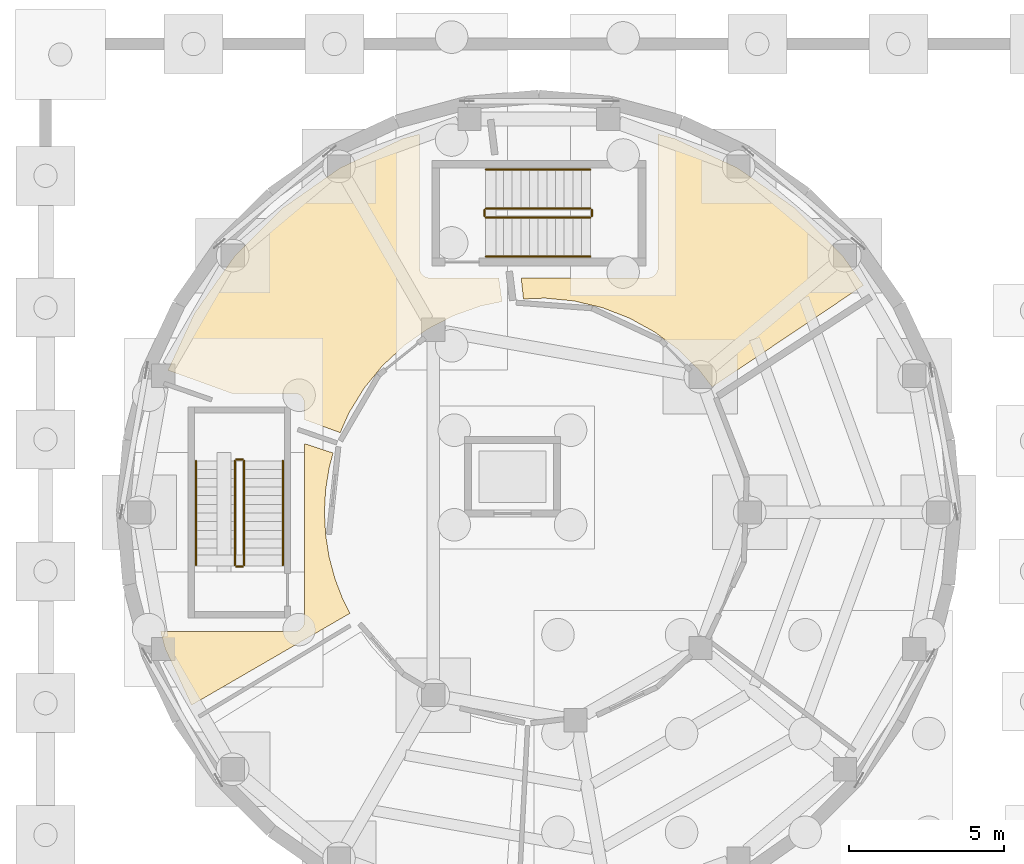
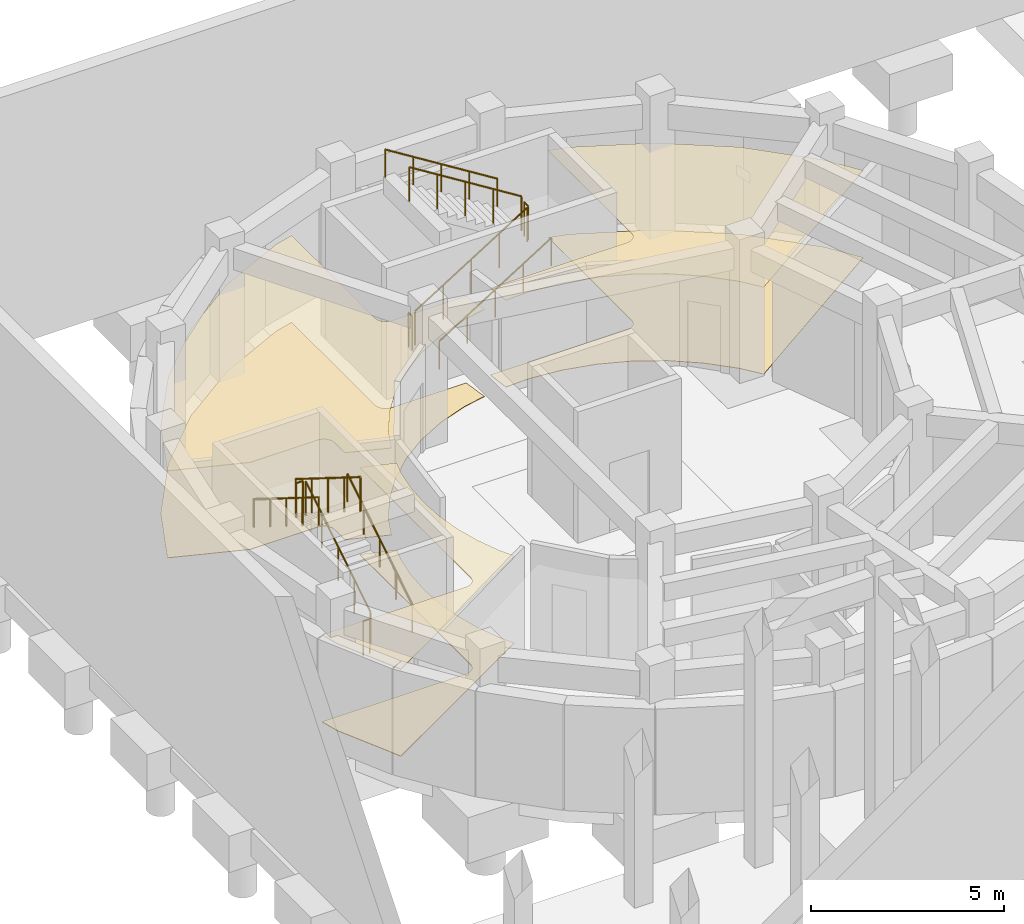
# One storey, part 54 of 57: 12 railings, 6 coverings.
"""IFC4 building model written with IfcOpenShell, lengths in metres."""

from ifc_helpers import new_model, si_unit, direction, frame, origin, origin_2d, place, context, subcontext, project, spatial, polyline, circle, outline, extrude, material, layer, layer_set, type_object, element, save


model = new_model("IFC4")

# Units and contexts
model_context = context("Model", 3, precision=1e-05, world=origin(), true_north=direction((0.0, 1.0)))
body_context = subcontext(model_context, "Body", "Model", "MODEL_VIEW")
ifc_project = project(units=[si_unit("LENGTHUNIT", "METRE"), si_unit("AREAUNIT", "SQUARE_METRE"), si_unit("VOLUMEUNIT", "CUBIC_METRE"), si_unit("PLANEANGLEUNIT", "RADIAN"), si_unit("MASSUNIT", "GRAM", prefix="KILO")], contexts=[model_context])

# Site, building, storey
site_placement = place(None, origin())
site = spatial("IfcSite", under=ifc_project, at=site_placement, CompositionType="ELEMENT")
building_placement = place(site_placement, origin())
building = spatial("IfcBuilding", under=site, at=building_placement, Name="Aldenvaro Health Centre", CompositionType="ELEMENT")
storey_placement = place(building_placement, frame((0.0, 0.0, -4.550048828125)))
storey = spatial("IfcBuildingStorey", under=building, at=storey_placement, Name="B1", CompositionType="ELEMENT", Elevation=-4.550048828125)

# Coverings
ifc_material_1 = material(Name="Antimicrobial Mineral Fibre Ceiling")
ifc_layer_1 = layer(ifc_material_1, 0.01806640625, Name="Antimicrobial Mineral Fibre Ceiling")
ifc_layer_set_1 = layer_set([ifc_layer_1], Name="Antimicrobial Mineral Fibre Ceiling")
covering_type_1 = type_object("IfcCoveringType", Name="COV-CLG-ACT18", PredefinedType="CEILING", material=ifc_layer_set_1)
covering_1_placement = place(storey_placement, frame((0.0, 0.0, 2.75)))
element("IfcCovering", 1, at=covering_1_placement, inside=storey, type_object=covering_type_1, Name="D4-B1-R01 Suspended Ceiling", PredefinedType="CEILING", context=body_context, shape_type="SweptSolid", body=[
    extrude(outline(polyline([(23.672119140625, 104.08203125), (23.64990234375, 104.10595703125), (23.00390625, 104.739013671875), (22.97998046875, 104.760986328125), (22.25390625, 105.301025390625), (22.22705078125, 105.318115234375), (21.43505859375, 105.7548828125), (21.405029296875, 105.76904296875), (20.56201171875, 106.094970703125), (20.531005859375, 106.10400390625), (19.64990234375, 106.31298828125), (19.617919921875, 106.318115234375), (18.718017578125, 106.406005859375), (18.68603515625, 106.406982421875), (18.006103515625, 106.381103515625), (17.93310546875, 107.06005859375), (22.02001953125, 107.06005859375), (22.031982421875, 107.06005859375), (22.0400390625, 107.06103515625), (22.06298828125, 107.06298828125), (22.071044921875, 107.06396484375), (22.093994140625, 107.069091796875), (22.10205078125, 107.071044921875), (22.1240234375, 107.076904296875), (22.131103515625, 107.080078125), (22.153076171875, 107.089111328125), (22.159912109375, 107.092041015625), (22.180908203125, 107.10400390625), (22.18798828125, 107.10791015625), (22.20703125, 107.12109375), (22.214111328125, 107.125), (22.23193359375, 107.139892578125), (22.238037109375, 107.14599609375), (22.25390625, 107.162109375), (22.260009765625, 107.16796875), (22.27490234375, 107.18603515625), (22.279052734375, 107.193115234375), (22.2919921875, 107.2119140625), (22.2958984375, 107.218994140625), (22.30810546875, 107.239990234375), (22.31103515625, 107.2470703125), (22.320068359375, 107.26904296875), (22.322998046875, 107.27587890625), (22.3291015625, 107.298095703125), (22.3310546875, 107.305908203125), (22.3359375, 107.3291015625), (22.3369140625, 107.3369140625), (22.339111328125, 107.360107421875), (22.340087890625, 107.367919921875), (22.340087890625, 107.3798828125), (22.340087890625, 111.69189453125), (22.884033203125, 111.5458984375), (24.908935546875, 110.60205078125), (26.739990234375, 109.320068359375), (28.320068359375, 107.739990234375), (28.964111328125, 106.820068359375), (24.087890625, 103.5439453125), (23.672119140625, 104.08203125)])), origin(), (0.0, 0.0, 1.0), 0.01806640625),
])
covering_2_placement = place(storey_placement, frame((0.0, 0.0, 2.75)))
element("IfcCovering", 2, at=covering_2_placement, inside=storey, type_object=covering_type_1, Name="D4-B1-R02 Suspended Ceiling", PredefinedType="CEILING", context=body_context, shape_type="SweptSolid", body=[
    extrude(outline(polyline([(6.5458984375, 104.08203125), (7.39794921875, 105.908935546875), (8.679931640625, 107.739990234375), (10.260009765625, 109.320068359375), (12.091064453125, 110.60205078125), (14.115966796875, 111.5458984375), (14.659912109375, 111.69189453125), (14.659912109375, 107.3798828125), (14.659912109375, 107.367919921875), (14.660888671875, 107.360107421875), (14.6630859375, 107.3369140625), (14.6640625, 107.3291015625), (14.6689453125, 107.305908203125), (14.6708984375, 107.298095703125), (14.677001953125, 107.27587890625), (14.679931640625, 107.26904296875), (14.68896484375, 107.2470703125), (14.69189453125, 107.239990234375), (14.7041015625, 107.218994140625), (14.7080078125, 107.2119140625), (14.720947265625, 107.193115234375), (14.72509765625, 107.18603515625), (14.739990234375, 107.16796875), (14.74609375, 107.162109375), (14.761962890625, 107.14599609375), (14.76806640625, 107.139892578125), (14.785888671875, 107.125), (14.79296875, 107.12109375), (14.81201171875, 107.10791015625), (14.819091796875, 107.10400390625), (14.840087890625, 107.092041015625), (14.846923828125, 107.089111328125), (14.868896484375, 107.080078125), (14.8759765625, 107.076904296875), (14.89794921875, 107.071044921875), (14.906005859375, 107.069091796875), (14.928955078125, 107.06396484375), (14.93701171875, 107.06298828125), (14.9599609375, 107.06103515625), (14.968017578125, 107.06005859375), (14.97998046875, 107.06005859375), (17.208984375, 107.06005859375), (17.31494140625, 106.2958984375), (16.64892578125, 106.156982421875), (16.617919921875, 106.14794921875), (15.764892578125, 105.844970703125), (15.735107421875, 105.83203125), (14.931884765625, 105.4169921875), (14.904052734375, 105.39990234375), (14.1640625, 104.8798828125), (14.138916015625, 104.85888671875), (13.47607421875, 104.243896484375), (13.4541015625, 104.219970703125), (12.881103515625, 103.52099609375), (12.862060546875, 103.493896484375), (12.388916015625, 102.72412109375), (12.373046875, 102.695068359375), (12.09912109375, 102.072021484375), (10.93994140625, 102.491943359375), (10.93994140625, 103.02001953125), (10.93994140625, 103.031982421875), (10.93896484375, 103.0400390625), (10.93701171875, 103.06298828125), (10.93603515625, 103.071044921875), (10.930908203125, 103.093994140625), (10.928955078125, 103.10205078125), (10.923095703125, 103.1240234375), (10.919921875, 103.131103515625), (10.910888671875, 103.153076171875), (10.907958984375, 103.159912109375), (10.89599609375, 103.180908203125), (10.89208984375, 103.18798828125), (10.87890625, 103.20703125), (10.875, 103.214111328125), (10.860107421875, 103.23193359375), (10.85400390625, 103.238037109375), (10.837890625, 103.25390625), (10.83203125, 103.260009765625), (10.81396484375, 103.27490234375), (10.806884765625, 103.279052734375), (10.7880859375, 103.2919921875), (10.781005859375, 103.2958984375), (10.760009765625, 103.30810546875), (10.7529296875, 103.31103515625), (10.73095703125, 103.320068359375), (10.72412109375, 103.322998046875), (10.701904296875, 103.3291015625), (10.694091796875, 103.3310546875), (10.6708984375, 103.3359375), (10.6630859375, 103.3369140625), (10.639892578125, 103.339111328125), (10.632080078125, 103.340087890625), (10.6201171875, 103.340087890625), (8.596923828125, 103.340087890625), (6.5458984375, 104.08203125)])), origin(), (0.0, 0.0, 1.0), 0.01806640625),
])
ifc_material_2 = material(Name="Hygienic Sealed Gypsum Ceiling")
ifc_layer_2 = layer(ifc_material_2, 0.02490234375, Name="Hygienic Sealed Gypsum Ceiling")
ifc_layer_set_2 = layer_set([ifc_layer_2], Name="Hygienic Sealed Gypsum Ceiling")
covering_type_2 = type_object("IfcCoveringType", Name="COV-CLG-GYP25", PredefinedType="CEILING", material=ifc_layer_set_2)
covering_3_placement = place(storey_placement, frame((0.0, 0.0, 2.75)))
element("IfcCovering", 3, at=covering_3_placement, inside=storey, type_object=covering_type_2, Name="D4-B1-R03 Suspended Ceiling", PredefinedType="CEILING", context=body_context, shape_type="SweptSolid", body=[
    extrude(outline(polyline([(7.305908203125, 93.2880859375), (6.4541015625, 95.115966796875), (6.30810546875, 95.659912109375), (10.6201171875, 95.659912109375), (10.632080078125, 95.659912109375), (10.639892578125, 95.660888671875), (10.6630859375, 95.6630859375), (10.6708984375, 95.6640625), (10.694091796875, 95.6689453125), (10.701904296875, 95.6708984375), (10.72412109375, 95.677001953125), (10.73095703125, 95.679931640625), (10.7529296875, 95.68896484375), (10.760009765625, 95.69189453125), (10.781005859375, 95.7041015625), (10.7880859375, 95.7080078125), (10.806884765625, 95.720947265625), (10.81396484375, 95.72509765625), (10.83203125, 95.739990234375), (10.837890625, 95.74609375), (10.85400390625, 95.761962890625), (10.860107421875, 95.76806640625), (10.875, 95.785888671875), (10.87890625, 95.79296875), (10.89208984375, 95.81201171875), (10.89599609375, 95.819091796875), (10.907958984375, 95.840087890625), (10.910888671875, 95.846923828125), (10.919921875, 95.868896484375), (10.923095703125, 95.8759765625), (10.928955078125, 95.89794921875), (10.930908203125, 95.906005859375), (10.93603515625, 95.928955078125), (10.93701171875, 95.93701171875), (10.93896484375, 95.9599609375), (10.93994140625, 95.968017578125), (10.93994140625, 95.97998046875), (10.93994140625, 101.718017578125), (11.868896484375, 101.4150390625), (11.74609375, 100.9580078125), (11.740966796875, 100.93310546875), (11.6298828125, 100.240966796875), (11.626953125, 100.216064453125), (11.590087890625, 99.51611328125), (11.590087890625, 99.489990234375), (11.626953125, 98.7900390625), (11.6298828125, 98.764892578125), (11.739013671875, 98.072998046875), (11.7451171875, 98.048095703125), (11.926025390625, 97.37109375), (11.93408203125, 97.346923828125), (12.18603515625, 96.693115234375), (12.197021484375, 96.669921875), (12.412109375, 96.248046875), (7.305908203125, 93.2880859375)])), origin(), (0.0, 0.0, 1.0), 0.025146484375),
])
ifc_material_3 = material(Name="Polished Epoxy Terrazzo Flooring")
ifc_layer_3 = layer(ifc_material_3, 0.02197265625, Name="Polished Epoxy Terrazzo Flooring")
ifc_layer_set_3 = layer_set([ifc_layer_3], Name="Polished Epoxy Terrazzo Flooring")
covering_type_3 = type_object("IfcCoveringType", Name="COV-FLR-TER22", PredefinedType="FLOORING", material=ifc_layer_set_3)
covering_4_placement = place(storey_placement, origin())
element("IfcCovering", 4, at=covering_4_placement, inside=storey, type_object=covering_type_3, Name="D4-B1-R03 Flooring", PredefinedType="FLOORING", context=body_context, shape_type="SweptSolid", body=[
    extrude(outline(polyline([(7.305908203125, 93.2880859375), (6.4541015625, 95.115966796875), (6.30810546875, 95.659912109375), (10.6201171875, 95.659912109375), (10.632080078125, 95.659912109375), (10.639892578125, 95.660888671875), (10.6630859375, 95.6630859375), (10.6708984375, 95.6640625), (10.694091796875, 95.6689453125), (10.701904296875, 95.6708984375), (10.72412109375, 95.677001953125), (10.73095703125, 95.679931640625), (10.7529296875, 95.68896484375), (10.760009765625, 95.69189453125), (10.781005859375, 95.7041015625), (10.7880859375, 95.7080078125), (10.806884765625, 95.720947265625), (10.81396484375, 95.72509765625), (10.83203125, 95.739990234375), (10.837890625, 95.74609375), (10.85400390625, 95.761962890625), (10.860107421875, 95.76806640625), (10.875, 95.785888671875), (10.87890625, 95.79296875), (10.89208984375, 95.81201171875), (10.89599609375, 95.819091796875), (10.907958984375, 95.840087890625), (10.910888671875, 95.846923828125), (10.919921875, 95.868896484375), (10.923095703125, 95.8759765625), (10.928955078125, 95.89794921875), (10.930908203125, 95.906005859375), (10.93603515625, 95.928955078125), (10.93701171875, 95.93701171875), (10.93896484375, 95.9599609375), (10.93994140625, 95.968017578125), (10.93994140625, 95.97998046875), (10.93994140625, 101.718017578125), (11.868896484375, 101.4150390625), (11.74609375, 100.9580078125), (11.740966796875, 100.93310546875), (11.6298828125, 100.240966796875), (11.626953125, 100.216064453125), (11.590087890625, 99.51611328125), (11.590087890625, 99.489990234375), (11.626953125, 98.7900390625), (11.6298828125, 98.764892578125), (11.739013671875, 98.072998046875), (11.7451171875, 98.048095703125), (11.926025390625, 97.37109375), (11.93408203125, 97.346923828125), (12.18603515625, 96.693115234375), (12.197021484375, 96.669921875), (12.412109375, 96.248046875), (7.305908203125, 93.2880859375)])), origin(), (0.0, 0.0, 1.0), 0.02197265625),
])
ifc_material_4 = material(Name="Seamless Homogeneous Sheet Vinyl")
ifc_layer_4 = layer(ifc_material_4, 0.013916015625, Name="Seamless Homogeneous Sheet Vinyl")
ifc_layer_set_4 = layer_set([ifc_layer_4], Name="Seamless Homogeneous Sheet Vinyl")
covering_type_4 = type_object("IfcCoveringType", Name="COV-FLR-VNL14", PredefinedType="FLOORING", material=ifc_layer_set_4)
covering_5_placement = place(storey_placement, origin())
element("IfcCovering", 5, at=covering_5_placement, inside=storey, type_object=covering_type_4, Name="D4-B1-R01 Flooring", PredefinedType="FLOORING", context=body_context, shape_type="SweptSolid", body=[
    extrude(outline(polyline([(23.672119140625, 104.08203125), (23.64990234375, 104.10595703125), (23.00390625, 104.739013671875), (22.97998046875, 104.760986328125), (22.25390625, 105.301025390625), (22.22705078125, 105.318115234375), (21.43505859375, 105.7548828125), (21.405029296875, 105.76904296875), (20.56201171875, 106.094970703125), (20.531005859375, 106.10400390625), (19.64990234375, 106.31298828125), (19.617919921875, 106.318115234375), (18.718017578125, 106.406005859375), (18.68603515625, 106.406982421875), (18.006103515625, 106.381103515625), (17.93310546875, 107.06005859375), (22.02001953125, 107.06005859375), (22.031982421875, 107.06005859375), (22.0400390625, 107.06103515625), (22.06298828125, 107.06298828125), (22.071044921875, 107.06396484375), (22.093994140625, 107.069091796875), (22.10205078125, 107.071044921875), (22.1240234375, 107.076904296875), (22.131103515625, 107.080078125), (22.153076171875, 107.089111328125), (22.159912109375, 107.092041015625), (22.180908203125, 107.10400390625), (22.18798828125, 107.10791015625), (22.20703125, 107.12109375), (22.214111328125, 107.125), (22.23193359375, 107.139892578125), (22.238037109375, 107.14599609375), (22.25390625, 107.162109375), (22.260009765625, 107.16796875), (22.27490234375, 107.18603515625), (22.279052734375, 107.193115234375), (22.2919921875, 107.2119140625), (22.2958984375, 107.218994140625), (22.30810546875, 107.239990234375), (22.31103515625, 107.2470703125), (22.320068359375, 107.26904296875), (22.322998046875, 107.27587890625), (22.3291015625, 107.298095703125), (22.3310546875, 107.305908203125), (22.3359375, 107.3291015625), (22.3369140625, 107.3369140625), (22.339111328125, 107.360107421875), (22.340087890625, 107.367919921875), (22.340087890625, 107.3798828125), (22.340087890625, 111.69189453125), (22.884033203125, 111.5458984375), (24.908935546875, 110.60205078125), (26.739990234375, 109.320068359375), (28.320068359375, 107.739990234375), (28.964111328125, 106.820068359375), (24.087890625, 103.5439453125), (23.672119140625, 104.08203125)])), origin(), (0.0, 0.0, 1.0), 0.01416015625),
])
covering_6_placement = place(storey_placement, origin())
element("IfcCovering", 6, at=covering_6_placement, inside=storey, type_object=covering_type_4, Name="D4-B1-R02 Flooring", PredefinedType="FLOORING", context=body_context, shape_type="SweptSolid", body=[
    extrude(outline(polyline([(6.5458984375, 104.08203125), (7.39794921875, 105.908935546875), (8.679931640625, 107.739990234375), (10.260009765625, 109.320068359375), (12.091064453125, 110.60205078125), (14.115966796875, 111.5458984375), (14.659912109375, 111.69189453125), (14.659912109375, 107.3798828125), (14.659912109375, 107.367919921875), (14.660888671875, 107.360107421875), (14.6630859375, 107.3369140625), (14.6640625, 107.3291015625), (14.6689453125, 107.305908203125), (14.6708984375, 107.298095703125), (14.677001953125, 107.27587890625), (14.679931640625, 107.26904296875), (14.68896484375, 107.2470703125), (14.69189453125, 107.239990234375), (14.7041015625, 107.218994140625), (14.7080078125, 107.2119140625), (14.720947265625, 107.193115234375), (14.72509765625, 107.18603515625), (14.739990234375, 107.16796875), (14.74609375, 107.162109375), (14.761962890625, 107.14599609375), (14.76806640625, 107.139892578125), (14.785888671875, 107.125), (14.79296875, 107.12109375), (14.81201171875, 107.10791015625), (14.819091796875, 107.10400390625), (14.840087890625, 107.092041015625), (14.846923828125, 107.089111328125), (14.868896484375, 107.080078125), (14.8759765625, 107.076904296875), (14.89794921875, 107.071044921875), (14.906005859375, 107.069091796875), (14.928955078125, 107.06396484375), (14.93701171875, 107.06298828125), (14.9599609375, 107.06103515625), (14.968017578125, 107.06005859375), (14.97998046875, 107.06005859375), (17.208984375, 107.06005859375), (17.31494140625, 106.2958984375), (16.64892578125, 106.156982421875), (16.617919921875, 106.14794921875), (15.764892578125, 105.844970703125), (15.735107421875, 105.83203125), (14.931884765625, 105.4169921875), (14.904052734375, 105.39990234375), (14.1640625, 104.8798828125), (14.138916015625, 104.85888671875), (13.47607421875, 104.243896484375), (13.4541015625, 104.219970703125), (12.881103515625, 103.52099609375), (12.862060546875, 103.493896484375), (12.388916015625, 102.72412109375), (12.373046875, 102.695068359375), (12.09912109375, 102.072021484375), (10.93994140625, 102.491943359375), (10.93994140625, 103.02001953125), (10.93994140625, 103.031982421875), (10.93896484375, 103.0400390625), (10.93701171875, 103.06298828125), (10.93603515625, 103.071044921875), (10.930908203125, 103.093994140625), (10.928955078125, 103.10205078125), (10.923095703125, 103.1240234375), (10.919921875, 103.131103515625), (10.910888671875, 103.153076171875), (10.907958984375, 103.159912109375), (10.89599609375, 103.180908203125), (10.89208984375, 103.18798828125), (10.87890625, 103.20703125), (10.875, 103.214111328125), (10.860107421875, 103.23193359375), (10.85400390625, 103.238037109375), (10.837890625, 103.25390625), (10.83203125, 103.260009765625), (10.81396484375, 103.27490234375), (10.806884765625, 103.279052734375), (10.7880859375, 103.2919921875), (10.781005859375, 103.2958984375), (10.760009765625, 103.30810546875), (10.7529296875, 103.31103515625), (10.73095703125, 103.320068359375), (10.72412109375, 103.322998046875), (10.701904296875, 103.3291015625), (10.694091796875, 103.3310546875), (10.6708984375, 103.3359375), (10.6630859375, 103.3369140625), (10.639892578125, 103.339111328125), (10.632080078125, 103.340087890625), (10.6201171875, 103.340087890625), (8.596923828125, 103.340087890625), (6.5458984375, 104.08203125)])), origin(), (0.0, 0.0, 1.0), 0.01416015625),
])

# Railings
ifc_material_5 = material(Name="Painted Architectural Steel", Category="steel")
railing_type_1 = type_object("IfcRailingType", Name="RL-BAL-INT", PredefinedType="BALUSTRADE", material=ifc_material_5)
railing_1_placement = place(storey_placement, frame((16.800048828125, 109.0, 0.175048828125)))
element("IfcRailing", 7, at=railing_1_placement, inside=storey, type_object=railing_type_1, Name="B1 ST-07 stair guard 1", PredefinedType="BALUSTRADE", context=body_context, shape_type="SweptSolid", body=[
    extrude(circle(Radius=0.02392578125, at=origin_2d()), frame((0.0, 0.0, 1.076171875), z_axis=(0.847977533471, 0.0, 0.530032171408), x_axis=(0.0, 1.0, 0.0)), (0.0, 0.0, 1.0), 3.962158203125),
    extrude(circle(Radius=0.02099609375, at=origin_2d()), origin(), (0.0, 0.0, 1.0), 1.052001953125),
    extrude(circle(Radius=0.02099609375, at=origin_2d()), frame((0.83984375, 0.0, 0.52490234375)), (0.0, 0.0, 1.0), 1.052001953125),
    extrude(circle(Radius=0.02099609375, at=origin_2d()), frame((1.679931640625, 0.0, 1.050048828125)), (0.0, 0.0, 1.0), 1.052001953125),
    extrude(circle(Radius=0.02099609375, at=origin_2d()), frame((2.52001953125, 0.0, 1.5751953125)), (0.0, 0.0, 1.0), 1.052001953125),
    extrude(circle(Radius=0.02099609375, at=origin_2d()), frame((3.35986328125, 0.0, 2.10009765625)), (0.0, 0.0, 1.0), 1.052001953125),
])
railing_2_placement = place(storey_placement, frame((20.2099609375, 109.050048828125, 2.275146484375)))
element("IfcRailing", 8, at=railing_2_placement, inside=storey, type_object=railing_type_1, Name="B1 ST-07 stair guard 2", PredefinedType="BALUSTRADE", context=body_context, shape_type="SweptSolid", body=[
    extrude(circle(Radius=0.02392578125, at=origin_2d()), frame((0.0, 0.0, 1.076171875), z_axis=(0.0, 1.0, 0.0), x_axis=(-1.0, 0.0, 0.0)), (0.0, 0.0, 1.0), 0.199951171875),
    extrude(circle(Radius=0.02099609375, at=origin_2d()), origin(), (0.0, 0.0, 1.0), 1.052001953125),
    extrude(circle(Radius=0.02099609375, at=origin_2d()), frame((0.0, 0.199951171875, 0.0)), (0.0, 0.0, 1.0), 1.052001953125),
])
railing_3_placement = place(storey_placement, frame((20.159912109375, 109.300048828125, 2.449951171875)))
element("IfcRailing", 9, at=railing_3_placement, inside=storey, type_object=railing_type_1, Name="B1 ST-07 stair guard 3", PredefinedType="BALUSTRADE", context=body_context, shape_type="SweptSolid", body=[
    extrude(circle(Radius=0.02392578125, at=origin_2d()), frame((0.0, 0.0, 1.076171875), z_axis=(-0.847977533471, 0.0, 0.530032171408), x_axis=(0.0, -1.0, 0.0)), (0.0, 0.0, 1.0), 3.962158203125),
    extrude(circle(Radius=0.02099609375, at=origin_2d()), origin(), (0.0, 0.0, 1.0), 1.052001953125),
    extrude(circle(Radius=0.02099609375, at=origin_2d()), frame((-0.83984375, 0.0, 0.52490234375)), (0.0, 0.0, 1.0), 1.052001953125),
    extrude(circle(Radius=0.02099609375, at=origin_2d()), frame((-1.679931640625, 0.0, 1.050048828125)), (0.0, 0.0, 1.0), 1.052001953125),
    extrude(circle(Radius=0.02099609375, at=origin_2d()), frame((-2.52001953125, 0.0, 1.5751953125)), (0.0, 0.0, 1.0), 1.052001953125),
    extrude(circle(Radius=0.02099609375, at=origin_2d()), frame((-3.35986328125, 0.0, 2.10009765625)), (0.0, 0.0, 1.0), 1.052001953125),
])
railing_4_placement = place(storey_placement, frame((16.75, 109.050048828125, 0.0)))
element("IfcRailing", 10, at=railing_4_placement, inside=storey, type_object=railing_type_1, Name="B1 ST-07 stair guard 4", PredefinedType="BALUSTRADE", context=body_context, shape_type="SweptSolid", body=[
    extrude(circle(Radius=0.02392578125, at=origin_2d()), frame((0.0, 0.0, 1.076171875), z_axis=(0.0, 1.0, 0.0), x_axis=(-1.0, 0.0, 0.0)), (0.0, 0.0, 1.0), 0.199951171875),
    extrude(circle(Radius=0.02099609375, at=origin_2d()), origin(), (0.0, 0.0, 1.0), 1.052001953125),
    extrude(circle(Radius=0.02099609375, at=origin_2d()), frame((0.0, 0.199951171875, 0.0)), (0.0, 0.0, 1.0), 1.052001953125),
])
railing_5_placement = place(storey_placement, frame((9.0, 97.800048828125, 0.175048828125)))
element("IfcRailing", 11, at=railing_5_placement, inside=storey, type_object=railing_type_1, Name="B1 ST-08 stair guard 1", PredefinedType="BALUSTRADE", context=body_context, shape_type="SweptSolid", body=[
    extrude(circle(Radius=0.02392578125, at=origin_2d()), frame((0.0, 0.0, 1.076171875), z_axis=(0.0, 0.847977533471, 0.530032171408), x_axis=(-1.0, 0.0, 0.0)), (0.0, 0.0, 1.0), 3.962158203125),
    extrude(circle(Radius=0.02099609375, at=origin_2d()), origin(), (0.0, 0.0, 1.0), 1.052001953125),
    extrude(circle(Radius=0.02099609375, at=origin_2d()), frame((0.0, 0.83984375, 0.52490234375)), (0.0, 0.0, 1.0), 1.052001953125),
    extrude(circle(Radius=0.02099609375, at=origin_2d()), frame((0.0, 1.679931640625, 1.050048828125)), (0.0, 0.0, 1.0), 1.052001953125),
    extrude(circle(Radius=0.02099609375, at=origin_2d()), frame((0.0, 2.52001953125, 1.5751953125)), (0.0, 0.0, 1.0), 1.052001953125),
    extrude(circle(Radius=0.02099609375, at=origin_2d()), frame((0.0, 3.35986328125, 2.10009765625)), (0.0, 0.0, 1.0), 1.052001953125),
])
railing_6_placement = place(storey_placement, frame((8.949951171875, 101.2099609375, 2.275146484375)))
element("IfcRailing", 12, at=railing_6_placement, inside=storey, type_object=railing_type_1, Name="B1 ST-08 stair guard 2", PredefinedType="BALUSTRADE", context=body_context, shape_type="SweptSolid", body=[
    extrude(circle(Radius=0.02392578125, at=origin_2d()), frame((0.0, 0.0, 1.076171875), z_axis=(-1.0, 0.0, 0.0), x_axis=(0.0, -1.0, 0.0)), (0.0, 0.0, 1.0), 0.199951171875),
    extrude(circle(Radius=0.02099609375, at=origin_2d()), origin(), (0.0, 0.0, 1.0), 1.052001953125),
    extrude(circle(Radius=0.02099609375, at=origin_2d()), frame((-0.199951171875, 0.0, 0.0)), (0.0, 0.0, 1.0), 1.052001953125),
])
railing_7_placement = place(storey_placement, frame((8.699951171875, 101.159912109375, 2.449951171875)))
element("IfcRailing", 13, at=railing_7_placement, inside=storey, type_object=railing_type_1, Name="B1 ST-08 stair guard 3", PredefinedType="BALUSTRADE", context=body_context, shape_type="SweptSolid", body=[
    extrude(circle(Radius=0.02392578125, at=origin_2d()), frame((0.0, 0.0, 1.076171875), z_axis=(0.0, -0.847977533471, 0.530032171408), x_axis=(1.0, 0.0, 0.0)), (0.0, 0.0, 1.0), 3.962158203125),
    extrude(circle(Radius=0.02099609375, at=origin_2d()), origin(), (0.0, 0.0, 1.0), 1.052001953125),
    extrude(circle(Radius=0.02099609375, at=origin_2d()), frame((0.0, -0.83984375, 0.52490234375)), (0.0, 0.0, 1.0), 1.052001953125),
    extrude(circle(Radius=0.02099609375, at=origin_2d()), frame((0.0, -1.679931640625, 1.050048828125)), (0.0, 0.0, 1.0), 1.052001953125),
    extrude(circle(Radius=0.02099609375, at=origin_2d()), frame((0.0, -2.52001953125, 1.5751953125)), (0.0, 0.0, 1.0), 1.052001953125),
    extrude(circle(Radius=0.02099609375, at=origin_2d()), frame((0.0, -3.35986328125, 2.10009765625)), (0.0, 0.0, 1.0), 1.052001953125),
])
railing_8_placement = place(storey_placement, frame((8.949951171875, 97.75, 0.0)))
element("IfcRailing", 14, at=railing_8_placement, inside=storey, type_object=railing_type_1, Name="B1 ST-08 stair guard 4", PredefinedType="BALUSTRADE", context=body_context, shape_type="SweptSolid", body=[
    extrude(circle(Radius=0.02392578125, at=origin_2d()), frame((0.0, 0.0, 1.076171875), z_axis=(-1.0, 0.0, 0.0), x_axis=(0.0, -1.0, 0.0)), (0.0, 0.0, 1.0), 0.199951171875),
    extrude(circle(Radius=0.02099609375, at=origin_2d()), origin(), (0.0, 0.0, 1.0), 1.052001953125),
    extrude(circle(Radius=0.02099609375, at=origin_2d()), frame((-0.199951171875, 0.0, 0.0)), (0.0, 0.0, 1.0), 1.052001953125),
])
railing_type_2 = type_object("IfcRailingType", Name="RL-HND-INT", PredefinedType="HANDRAIL", material=ifc_material_5)
railing_9_placement = place(storey_placement, frame((16.800048828125, 107.75, 0.175048828125)))
element("IfcRailing", 15, at=railing_9_placement, inside=storey, type_object=railing_type_2, Name="B1 ST-07 stair handrail 1", PredefinedType="HANDRAIL", context=body_context, shape_type="SweptSolid", body=[
    extrude(circle(Radius=0.02392578125, at=origin_2d()), frame((0.0, 0.0, 0.8759765625), z_axis=(0.847977533471, 0.0, 0.530032171408), x_axis=(0.0, 1.0, 0.0)), (0.0, 0.0, 1.0), 3.962158203125),
    extrude(circle(Radius=0.02099609375, at=origin_2d()), origin(), (0.0, 0.0, 1.0), 0.851806640625),
    extrude(circle(Radius=0.02099609375, at=origin_2d()), frame((0.83984375, 0.0, 0.52490234375)), (0.0, 0.0, 1.0), 0.851806640625),
    extrude(circle(Radius=0.02099609375, at=origin_2d()), frame((1.679931640625, 0.0, 1.050048828125)), (0.0, 0.0, 1.0), 0.851806640625),
    extrude(circle(Radius=0.02099609375, at=origin_2d()), frame((2.52001953125, 0.0, 1.5751953125)), (0.0, 0.0, 1.0), 0.851806640625),
    extrude(circle(Radius=0.02099609375, at=origin_2d()), frame((3.35986328125, 0.0, 2.10009765625)), (0.0, 0.0, 1.0), 0.851806640625),
])
railing_10_placement = place(storey_placement, frame((20.159912109375, 110.550048828125, 2.449951171875)))
element("IfcRailing", 16, at=railing_10_placement, inside=storey, type_object=railing_type_2, Name="B1 ST-07 stair handrail 2", PredefinedType="HANDRAIL", context=body_context, shape_type="SweptSolid", body=[
    extrude(circle(Radius=0.02392578125, at=origin_2d()), frame((0.0, 0.0, 0.8759765625), z_axis=(-0.847977533471, 0.0, 0.530032171408), x_axis=(0.0, -1.0, 0.0)), (0.0, 0.0, 1.0), 3.962158203125),
    extrude(circle(Radius=0.02099609375, at=origin_2d()), origin(), (0.0, 0.0, 1.0), 0.851806640625),
    extrude(circle(Radius=0.02099609375, at=origin_2d()), frame((-0.83984375, 0.0, 0.52490234375)), (0.0, 0.0, 1.0), 0.851806640625),
    extrude(circle(Radius=0.02099609375, at=origin_2d()), frame((-1.679931640625, 0.0, 1.050048828125)), (0.0, 0.0, 1.0), 0.851806640625),
    extrude(circle(Radius=0.02099609375, at=origin_2d()), frame((-2.52001953125, 0.0, 1.5751953125)), (0.0, 0.0, 1.0), 0.851806640625),
    extrude(circle(Radius=0.02099609375, at=origin_2d()), frame((-3.35986328125, 0.0, 2.10009765625)), (0.0, 0.0, 1.0), 0.851806640625),
])
railing_11_placement = place(storey_placement, frame((10.25, 97.800048828125, 0.175048828125)))
element("IfcRailing", 17, at=railing_11_placement, inside=storey, type_object=railing_type_2, Name="B1 ST-08 stair handrail 1", PredefinedType="HANDRAIL", context=body_context, shape_type="SweptSolid", body=[
    extrude(circle(Radius=0.02392578125, at=origin_2d()), frame((0.0, 0.0, 0.8759765625), z_axis=(0.0, 0.847977533471, 0.530032171408), x_axis=(-1.0, 0.0, 0.0)), (0.0, 0.0, 1.0), 3.962158203125),
    extrude(circle(Radius=0.02099609375, at=origin_2d()), origin(), (0.0, 0.0, 1.0), 0.851806640625),
    extrude(circle(Radius=0.02099609375, at=origin_2d()), frame((0.0, 0.83984375, 0.52490234375)), (0.0, 0.0, 1.0), 0.851806640625),
    extrude(circle(Radius=0.02099609375, at=origin_2d()), frame((0.0, 1.679931640625, 1.050048828125)), (0.0, 0.0, 1.0), 0.851806640625),
    extrude(circle(Radius=0.02099609375, at=origin_2d()), frame((0.0, 2.52001953125, 1.5751953125)), (0.0, 0.0, 1.0), 0.851806640625),
    extrude(circle(Radius=0.02099609375, at=origin_2d()), frame((0.0, 3.35986328125, 2.10009765625)), (0.0, 0.0, 1.0), 0.851806640625),
])
railing_12_placement = place(storey_placement, frame((7.449951171875, 101.159912109375, 2.449951171875)))
element("IfcRailing", 18, at=railing_12_placement, inside=storey, type_object=railing_type_2, Name="B1 ST-08 stair handrail 2", PredefinedType="HANDRAIL", context=body_context, shape_type="SweptSolid", body=[
    extrude(circle(Radius=0.02392578125, at=origin_2d()), frame((0.0, 0.0, 0.8759765625), z_axis=(0.0, -0.847977533471, 0.530032171408), x_axis=(1.0, 0.0, 0.0)), (0.0, 0.0, 1.0), 3.962158203125),
    extrude(circle(Radius=0.02099609375, at=origin_2d()), origin(), (0.0, 0.0, 1.0), 0.851806640625),
    extrude(circle(Radius=0.02099609375, at=origin_2d()), frame((0.0, -0.83984375, 0.52490234375)), (0.0, 0.0, 1.0), 0.851806640625),
    extrude(circle(Radius=0.02099609375, at=origin_2d()), frame((0.0, -1.679931640625, 1.050048828125)), (0.0, 0.0, 1.0), 0.851806640625),
    extrude(circle(Radius=0.02099609375, at=origin_2d()), frame((0.0, -2.52001953125, 1.5751953125)), (0.0, 0.0, 1.0), 0.851806640625),
    extrude(circle(Radius=0.02099609375, at=origin_2d()), frame((0.0, -3.35986328125, 2.10009765625)), (0.0, 0.0, 1.0), 0.851806640625),
])

save(model, "model.ifc")
